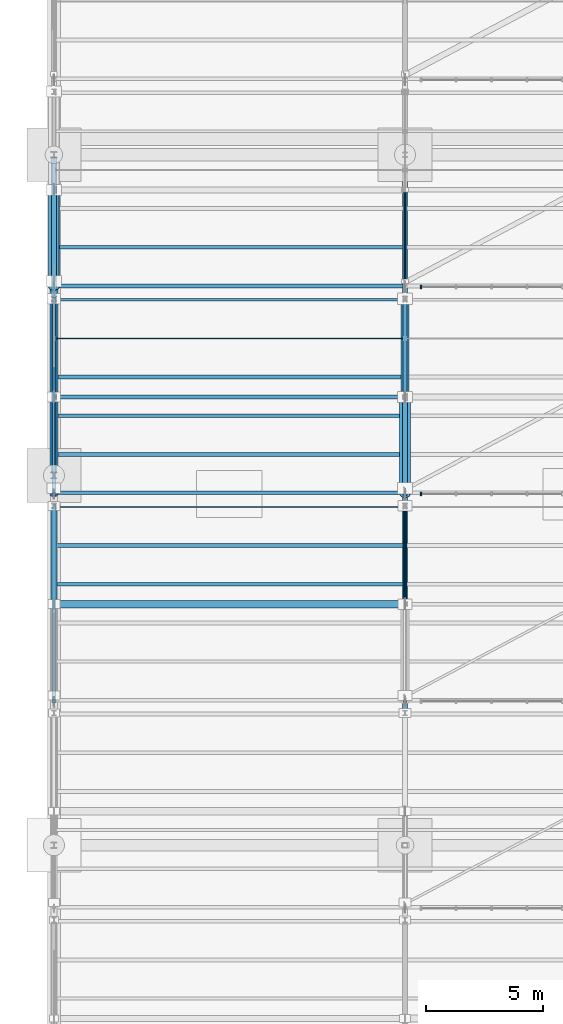
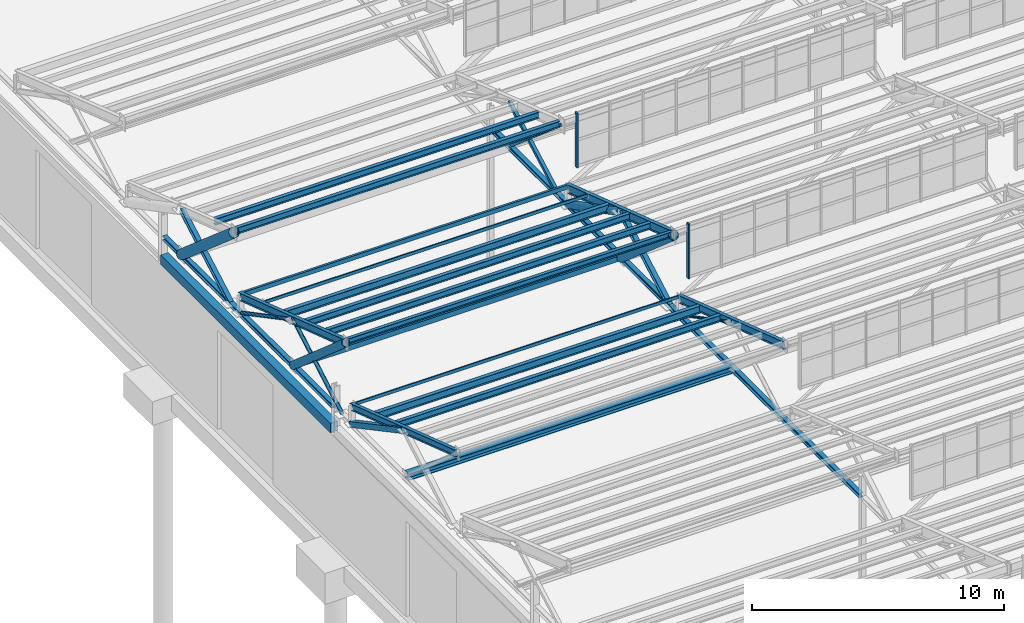
# One storey, part 62 of 285: 18 beams, 16 members, 2 elements without a shape of their own.
"""IFC4 building model written with IfcOpenShell, lengths in metres."""

from ifc_helpers import new_model, si_unit, direction, frame, origin, origin_2d, place, context, subcontext, project, spatial, rectangle, hollow_rectangle, hollow_circle, i_section, extrude, material, material_profile, profile_set, type_object, element, aggregate, save


model = new_model("IFC4")

# Units and contexts
model_context = context("Model", 3, precision=1e-05, world=origin(), true_north=direction((0.0, 1.0)))
body_context = subcontext(model_context, "Body", "Model", "MODEL_VIEW")
ifc_project = project(units=[si_unit("LENGTHUNIT", "METRE"), si_unit("AREAUNIT", "SQUARE_METRE"), si_unit("VOLUMEUNIT", "CUBIC_METRE"), si_unit("PLANEANGLEUNIT", "RADIAN"), si_unit("MASSUNIT", "GRAM", prefix="KILO")], contexts=[model_context])

# Site, building, storey
site_placement = place(None, origin())
site = spatial("IfcSite", under=ifc_project, at=site_placement, CompositionType="ELEMENT")
building_placement = place(site_placement, origin())
building = spatial("IfcBuilding", under=site, at=building_placement, Name="Solanera Park Tramway Depot", CompositionType="ELEMENT")
storey_placement = place(building_placement, origin())
storey = spatial("IfcBuildingStorey", under=building, at=storey_placement, Name="L00", CompositionType="ELEMENT", Elevation=0.0)

# Curtain wall, member
ifc_material_1 = material(Name="Bronze-anodised thermally broken aluminium curtain wall", Category="aluminium")
curtain_wall_type = type_object("IfcCurtainWallType", Name="Sawtooth Clerestory Monitor Curtain Wall", PredefinedType="NOTDEFINED", material=ifc_material_1)
curtain_wall_1_placement = place(storey_placement, origin())
curtain_wall_1 = element("IfcCurtainWall", 1, at=curtain_wall_1_placement, inside=storey, type_object=curtain_wall_type, Name="L00 Sawtooth Clerestory Monitor Curtain Wall #036", PredefinedType="NOTDEFINED")
ifc_material_2 = material(Name="Bronze-anodised structural aluminium 6063-T6", Category="aluminium")
ifc_material_profile_1 = material_profile(ifc_material_2, rectangle(XDim=0.06494140625, YDim=0.14990234375, at=origin_2d()), Name="Curtain Wall Mullion 65x150")
ifc_profile_set_1 = profile_set([ifc_material_profile_1], Name="Bronze-anodised structural aluminium 6063-T6")
member_type_1 = type_object("IfcMemberType", Name="Curtain Wall Mullion 65x150", PredefinedType="MULLION", material=ifc_profile_set_1)
member_1_placement = place(storey_placement, frame((15.6826171875, 100.0, 7.75), z_axis=(0.0, 0.0, 1.0), x_axis=(1.0, 0.0, 0.0)))
member_1 = element("IfcMember", 2, at=member_1_placement, type_object=member_type_1, Name="CW-L00-036 Mullion 1", PredefinedType="MULLION", context=body_context, shape_type="SweptSolid", body=[
    extrude(rectangle(XDim=0.06494140625, YDim=0.14990234375, at=origin_2d()), origin(), (0.0, 0.0, 1.0), 2.6611328125),
])
aggregate(curtain_wall_1, [member_1])

curtain_wall_2_placement = place(storey_placement, origin())
curtain_wall_2 = element("IfcCurtainWall", 3, at=curtain_wall_2_placement, inside=storey, type_object=curtain_wall_type, Name="L00 Sawtooth Clerestory Monitor Curtain Wall #044", PredefinedType="NOTDEFINED")
member_2_placement = place(storey_placement, frame((15.6826171875, 108.85009765625, 7.75), z_axis=(0.0, 0.0, 1.0), x_axis=(1.0, 0.0, 0.0)))
member_2 = element("IfcMember", 4, at=member_2_placement, type_object=member_type_1, Name="CW-L00-044 Mullion 1", PredefinedType="MULLION", context=body_context, shape_type="SweptSolid", body=[
    extrude(rectangle(XDim=0.06494140625, YDim=0.14990234375, at=origin_2d()), origin(), (0.0, 0.0, 1.0), 2.6611328125),
])
aggregate(curtain_wall_2, [member_2])

# Beam
ifc_material_3 = material(Name="Concrete N40 (C40/50)", Category="concrete")
ifc_material_profile_2 = material_profile(ifc_material_3, rectangle(XDim=0.35009765625, YDim=0.449951171875, at=origin_2d()), Name="LNT 350x450")
ifc_profile_set_2 = profile_set([ifc_material_profile_2], Name="Concrete N40 (C40/50)")
beam_type_1 = type_object("IfcBeamType", Name="Opening Lintel Beam LNT 350x450", PredefinedType="LINTEL", material=ifc_profile_set_2)
beam_1_placement = place(storey_placement, frame((0.0, 100.919921875, 5.47509765625), z_axis=(0.0, 1.0, 0.0), x_axis=(-1.0, 0.0, 0.0)))
element("IfcBeam", 5, at=beam_1_placement, inside=storey, type_object=beam_type_1, Name="L00 Portal Transom Lintel LNT 350x450 #0296", PredefinedType="LINTEL", context=body_context, shape_type="SweptSolid", body=[
    extrude(rectangle(XDim=0.35009765625, YDim=0.449951171875, at=origin_2d()), origin(), (0.0, 0.0, 1.0), 13.4599609375),
])

# Members
ifc_material_4 = material(Name="Steel AS/NZS 1163 Grade C350L0", Category="steel")
ifc_material_profile_3 = material_profile(ifc_material_4, hollow_rectangle(XDim=0.14990234375, YDim=0.14990234375, WallThickness=0.006103515625, at=origin_2d()), Name="150x150x6.0 SHS")
ifc_profile_set_3 = profile_set([ifc_material_profile_3], Name="Steel AS/NZS 1163 Grade C350L0")
member_type_2 = type_object("IfcMemberType", Name="Roof Gantry Compression Strut 150x150x6.0 SHS", PredefinedType="STRUT", material=ifc_profile_set_3)
member_3_placement = place(storey_placement, frame((15.0, 109.10009765625, 6.5), z_axis=(0.0, 0.874074669389, 0.485791593517), x_axis=(-1.0, 0.0, 0.0)))
element("IfcMember", 6, at=member_3_placement, inside=storey, type_object=member_type_2, Name="Sawtooth ROOF TRUSS Strut 150x150x6.0 SHS #0278", PredefinedType="STRUT", context=body_context, shape_type="SweptSolid", body=[
    extrude(hollow_rectangle(XDim=0.14990234375, YDim=0.14990234375, WallThickness=0.006103515625, at=origin_2d()), origin(), (0.0, 0.0, 1.0), 4.461669921875),
])
ifc_material_5 = material(Name="Steel AS/NZS 1163 Grade C350L0", Category="steel")
ifc_material_profile_4 = material_profile(ifc_material_5, hollow_circle(Radius=0.084228515625, WallThickness=0.00634765625, at=origin_2d()), Name="168.3x6.4 CHS")
ifc_profile_set_4 = profile_set([ifc_material_profile_4], Name="Steel AS/NZS 1163 Grade C350L0")
member_type_3 = type_object("IfcMemberType", Name="Roof Gantry Compression Strut 168.3x6.4 CHS", PredefinedType="STRUT", material=ifc_profile_set_4)
member_4_placement = place(storey_placement, frame((0.0, 100.25, 6.5), z_axis=(0.0, 0.869202540842, 0.49445620938), x_axis=(-1.0, 0.0, 0.0)))
element("IfcMember", 7, at=member_4_placement, inside=storey, type_object=member_type_3, Name="Sawtooth ROOF TRUSS Strut 168.3x6.4 CHS #0228", PredefinedType="STRUT", context=body_context, shape_type="SweptSolid", body=[
    extrude(hollow_circle(Radius=0.084228515625, WallThickness=0.00634765625, at=origin_2d()), origin(), (0.0, 0.0, 1.0), 4.48681640625),
])
ifc_material_6 = material(Name="Steel AS/NZS 3679.1 Grade 350", Category="steel")
ifc_material_profile_5 = material_profile(ifc_material_6, i_section(OverallWidth=0.205078125, OverallDepth=0.209716796875, WebThickness=0.00927734375, FlangeThickness=0.01416015625, at=origin_2d()), Name="200UC59.5")
ifc_profile_set_5 = profile_set([ifc_material_profile_5], Name="Steel AS/NZS 3679.1 Grade 350")
member_type_4 = type_object("IfcMemberType", Name="Roof Gantry Compression Strut 200UC59.5", PredefinedType="STRUT", material=ifc_profile_set_5)
for number, where, z_axis, x_axis, name in (
    (8, (15.0, 100.25, 6.5), (0.0, 0.871630906744, 0.490162791742), (-1.0, 0.0, 0.0), "Sawtooth ROOF TRUSS Strut 200UC59.5 #0231"),
    (9, (0.0, 109.10009765625, 6.5), (0.0, 0.871630906744, 0.490162791742), (-1.0, 0.0, 0.0), "Sawtooth ROOF TRUSS Strut 200UC59.5 #0275"),
):
    element("IfcMember", number, at=place(storey_placement, frame(where, z_axis=z_axis, x_axis=x_axis)), inside=storey, type_object=member_type_4, Name=name, PredefinedType="STRUT", context=body_context, shape_type="SweptSolid", body=[
        extrude(i_section(OverallWidth=0.205078125, OverallDepth=0.209716796875, WebThickness=0.00927734375, FlangeThickness=0.01416015625, at=origin_2d()), origin(), (0.0, 0.0, 1.0), 4.474365234375),
    ])
ifc_material_7 = material(Name="Steel AS/NZS 1163 Grade C350L0", Category="steel")
ifc_material_profile_6 = material_profile(ifc_material_7, hollow_rectangle(XDim=0.14990234375, YDim=0.25, WallThickness=0.008056640625, at=origin_2d()), Name="250x150x8.0 RHS")
ifc_profile_set_6 = profile_set([ifc_material_profile_6], Name="Steel AS/NZS 1163 Grade C350L0")
member_type_5 = type_object("IfcMemberType", Name="Secondary Truss Chord 250x150x8.0 RHS", PredefinedType="CHORD", material=ifc_profile_set_6)
member_5_placement = place(storey_placement, frame((0.087890625, 104.14990234375, 6.5), z_axis=(1.0, 0.0, 0.0), x_axis=(0.0, 1.0, 0.0)))
element("IfcMember", 10, at=member_5_placement, inside=storey, type_object=member_type_5, Name="Sawtooth Longitudinal Tie Chord 250x150x8.0 RHS #0259", PredefinedType="CHORD", context=body_context, shape_type="SweptSolid", body=[
    extrude(hollow_rectangle(XDim=0.14990234375, YDim=0.25, WallThickness=0.008056640625, at=origin_2d()), origin(), (0.0, 0.0, 1.0), 14.82421875),
])
ifc_material_8 = material(Name="Steel AS/NZS 3679.1 Grade 350", Category="steel")
ifc_material_profile_7 = material_profile(ifc_material_8, i_section(OverallWidth=0.310546875, OverallDepth=0.3271484375, WebThickness=0.015625, FlangeThickness=0.02490234375, at=origin_2d()), Name="310UC158")
ifc_profile_set_7 = profile_set([ifc_material_profile_7], Name="Steel AS/NZS 3679.1 Grade 350")
member_type_6 = type_object("IfcMemberType", Name="Secondary Truss Chord 310UC158", PredefinedType="CHORD", material=ifc_profile_set_7)
member_6_placement = place(storey_placement, frame((0.087890625, 95.300048828125, 6.5), z_axis=(1.0, 0.0, 0.0), x_axis=(0.0, 1.0, 0.0)))
element("IfcMember", 11, at=member_6_placement, inside=storey, type_object=member_type_6, Name="Sawtooth Longitudinal Tie Chord 310UC158 #0212", PredefinedType="CHORD", context=body_context, shape_type="SweptSolid", body=[
    extrude(i_section(OverallWidth=0.310546875, OverallDepth=0.3271484375, WebThickness=0.015625, FlangeThickness=0.02490234375, at=origin_2d()), origin(), (0.0, 0.0, 1.0), 14.82421875),
])

# Beams
ifc_material_9 = material(Name="Steel AS/NZS 3679.1 Grade 350", Category="steel")
ifc_material_profile_8 = material_profile(ifc_material_9, i_section(OverallWidth=0.203369140625, OverallDepth=0.203369140625, WebThickness=0.00732421875, FlangeThickness=0.010986328125, at=origin_2d()), Name="200UC46.2")
ifc_profile_set_8 = profile_set([ifc_material_profile_8], Name="Steel AS/NZS 3679.1 Grade 350")
beam_type_2 = type_object("IfcBeamType", Name="Steel Beam 200UC46.2", PredefinedType="BEAM", material=ifc_profile_set_8)
beam_2_placement = place(storey_placement, frame((0.0, 100.927001953125, 6.5), z_axis=(0.0, 1.0, 0.0), x_axis=(-1.0, 0.0, 0.0)))
element("IfcBeam", 12, at=beam_2_placement, inside=storey, type_object=beam_type_2, Name="Sawtooth ROOF TRUSS Bottom Chord 200UC46.2 #0368", PredefinedType="BEAM", context=body_context, shape_type="SweptSolid", body=[
    extrude(i_section(OverallWidth=0.203369140625, OverallDepth=0.203369140625, WebThickness=0.00732421875, FlangeThickness=0.010986328125, at=origin_2d()), origin(), (0.0, 0.0, 1.0), 13.4453125),
])
ifc_material_10 = material(Name="Steel AS/NZS 3679.1 Grade 350", Category="steel")
ifc_material_profile_9 = material_profile(ifc_material_10, i_section(OverallWidth=0.205078125, OverallDepth=0.209716796875, WebThickness=0.00927734375, FlangeThickness=0.01416015625, at=origin_2d()), Name="200UC59.5")
ifc_profile_set_9 = profile_set([ifc_material_profile_9], Name="Steel AS/NZS 3679.1 Grade 350")
beam_type_3 = type_object("IfcBeamType", Name="Steel Beam 200UC59.5", PredefinedType="BEAM", material=ifc_profile_set_9)
beam_3_placement = place(storey_placement, frame((15.0, 85.10009765625, 6.5), z_axis=(0.0, 1.0, 0.0), x_axis=(-1.0, 0.0, 0.0)))
element("IfcBeam", 13, at=beam_3_placement, inside=storey, type_object=beam_type_3, Name="Sawtooth ROOF TRUSS Bottom Chord 200UC59.5 #0371", PredefinedType="BEAM", context=body_context, shape_type="SweptSolid", body=[
    extrude(i_section(OverallWidth=0.205078125, OverallDepth=0.209716796875, WebThickness=0.00927734375, FlangeThickness=0.01416015625, at=origin_2d()), origin(), (0.0, 0.0, 1.0), 29.298095703125),
])
ifc_material_11 = material(Name="Steel AS/NZS 3679.1 Grade 350", Category="steel")
ifc_material_profile_10 = material_profile(ifc_material_11, i_section(OverallWidth=0.166015625, OverallDepth=0.30712890625, WebThickness=0.006591796875, FlangeThickness=0.01171875, at=origin_2d()), Name="310UB46.2")
ifc_profile_set_10 = profile_set([ifc_material_profile_10], Name="Steel AS/NZS 3679.1 Grade 350")
beam_type_4 = type_object("IfcBeamType", Name="Steel Beam 310UB46.2", PredefinedType="BEAM", material=ifc_profile_set_10)
beam_4_placement = place(storey_placement, frame((0.0, 91.14990234375, 10.131103515625), z_axis=(0.0, 0.948330572612, -0.317283981709), x_axis=(-1.0, 0.0, 0.0)))
element("IfcBeam", 14, at=beam_4_placement, inside=storey, type_object=beam_type_4, Name="Sawtooth ROOF TRUSS Top Rafter 310UB46.2 B05-T1", PredefinedType="BEAM", context=body_context, shape_type="SweptSolid", body=[
    extrude(i_section(OverallWidth=0.166015625, OverallDepth=0.30712890625, WebThickness=0.006591796875, FlangeThickness=0.01171875, at=origin_2d()), origin(), (0.0, 0.0, 1.0), 8.804931640625),
])
ifc_material_12 = material(Name="Steel AS/NZS 3679.1 Grade 350", Category="steel")
ifc_material_profile_11 = material_profile(ifc_material_12, i_section(OverallWidth=0.17138671875, OverallDepth=0.355712890625, WebThickness=0.00732421875, FlangeThickness=0.011474609375, at=origin_2d()), Name="360UB50.7")
ifc_profile_set_11 = profile_set([ifc_material_profile_11], Name="Steel AS/NZS 3679.1 Grade 350")
beam_type_5 = type_object("IfcBeamType", Name="Steel Beam 360UB50.7", PredefinedType="BEAM", material=ifc_profile_set_11)
for number, where, z_axis, x_axis, name in (
    (15, (15.0, 91.14990234375, 10.10693359375), (0.0, 0.948322229475, -0.317308917435), (-1.0, 0.0, 0.0), "Sawtooth ROOF TRUSS Top Rafter 360UB50.7 B05-T2"),
    (16, (0.0, 100.0, 10.10693359375), (0.0, 0.948322229475, -0.317308917435), (-1.0, 0.0, 0.0), "Sawtooth ROOF TRUSS Top Rafter 360UB50.7 B06-T1"),
):
    element("IfcBeam", number, at=place(storey_placement, frame(where, z_axis=z_axis, x_axis=x_axis)), inside=storey, type_object=beam_type_5, Name=name, PredefinedType="BEAM", context=body_context, shape_type="SweptSolid", body=[
        extrude(i_section(OverallWidth=0.17138671875, OverallDepth=0.355712890625, WebThickness=0.00732421875, FlangeThickness=0.011474609375, at=origin_2d()), origin(), (0.0, 0.0, 1.0), 8.80517578125),
    ])
ifc_material_13 = material(Name="Steel AS/NZS 3679.1 Grade 350", Category="steel")
ifc_material_profile_12 = material_profile(ifc_material_13, i_section(OverallWidth=0.177734375, OverallDepth=0.406494140625, WebThickness=0.0078125, FlangeThickness=0.0126953125, at=origin_2d()), Name="410UB59.7")
ifc_profile_set_12 = profile_set([ifc_material_profile_12], Name="Steel AS/NZS 3679.1 Grade 350")
beam_type_6 = type_object("IfcBeamType", Name="Steel Beam 410UB59.7", PredefinedType="BEAM", material=ifc_profile_set_12)
beam_5_placement = place(storey_placement, frame((15.0, 100.0, 10.08154296875), z_axis=(0.0, 0.948322229475, -0.317308917435), x_axis=(-1.0, 0.0, 0.0)))
element("IfcBeam", 17, at=beam_5_placement, inside=storey, type_object=beam_type_6, Name="Sawtooth ROOF TRUSS Top Rafter 410UB59.7 B06-T2", PredefinedType="BEAM", context=body_context, shape_type="SweptSolid", body=[
    extrude(i_section(OverallWidth=0.177734375, OverallDepth=0.406494140625, WebThickness=0.0078125, FlangeThickness=0.0126953125, at=origin_2d()), origin(), (0.0, 0.0, 1.0), 8.80517578125),
])
ifc_material_14 = material(Name="Steel AS/NZS 1163 Grade C350L0", Category="steel")
ifc_material_profile_13 = material_profile(ifc_material_14, hollow_rectangle(XDim=0.050048828125, YDim=0.14990234375, WallThickness=0.0048828125, at=origin_2d()), Name="150x50x5.0 RHS")
ifc_profile_set_13 = profile_set([ifc_material_profile_13], Name="Steel AS/NZS 1163 Grade C350L0")
beam_type_7 = type_object("IfcBeamType", Name="Steel Joist Purlin 150x50x5.0 RHS", PredefinedType="JOIST", material=ifc_profile_set_13)
beam_6_placement = place(storey_placement, frame((0.074951171875, 99.449951171875, 7.4462890625), z_axis=(1.0, 0.0, 0.0), x_axis=(0.0, 1.0, 0.0)))
element("IfcBeam", 18, at=beam_6_placement, inside=storey, type_object=beam_type_7, Name="Sawtooth Roof Purlin 150x50x5.0 RHS B05.6", PredefinedType="JOIST", context=body_context, shape_type="SweptSolid", body=[
    extrude(hollow_rectangle(XDim=0.050048828125, YDim=0.14990234375, WallThickness=0.0048828125, at=origin_2d()), origin(), (0.0, 0.0, 1.0), 14.84716796875),
])
beam_7_placement = place(storey_placement, frame((0.077880859375, 106.64990234375, 7.998291015625), z_axis=(1.0, 0.0, 0.0), x_axis=(0.0, 1.0, 0.0)))
element("IfcBeam", 19, at=beam_7_placement, inside=storey, type_object=beam_type_7, Name="Sawtooth Roof Purlin 150x50x5.0 RHS B06.5", PredefinedType="JOIST", context=body_context, shape_type="SweptSolid", body=[
    extrude(hollow_rectangle(XDim=0.050048828125, YDim=0.14990234375, WallThickness=0.0048828125, at=origin_2d()), origin(), (0.0, 0.0, 1.0), 14.84130859375),
])
ifc_material_15 = material(Name="Steel AS/NZS 1163 Grade C350L0", Category="steel")
ifc_material_profile_14 = material_profile(ifc_material_15, hollow_rectangle(XDim=0.10009765625, YDim=0.199951171875, WallThickness=0.006103515625, at=origin_2d()), Name="200x100x6.0 RHS")
ifc_profile_set_14 = profile_set([ifc_material_profile_14], Name="Steel AS/NZS 1163 Grade C350L0")
beam_type_8 = type_object("IfcBeamType", Name="Steel Joist Purlin 200x100x6.0 RHS", PredefinedType="JOIST", material=ifc_profile_set_14)
beam_8_placement = place(storey_placement, frame((0.077880859375, 108.300048828125, 7.412841796875), z_axis=(1.0, 0.0, 0.0), x_axis=(0.0, 1.0, 0.0)))
element("IfcBeam", 20, at=beam_8_placement, inside=storey, type_object=beam_type_8, Name="Sawtooth Roof Purlin 200x100x6.0 RHS B06.6", PredefinedType="JOIST", context=body_context, shape_type="SweptSolid", body=[
    extrude(hollow_rectangle(XDim=0.10009765625, YDim=0.199951171875, WallThickness=0.006103515625, at=origin_2d()), origin(), (0.0, 0.0, 1.0), 14.84130859375),
])
ifc_material_16 = material(Name="Steel AS/NZS 3679.1 Grade 350", Category="steel")
ifc_material_profile_15 = material_profile(ifc_material_16, i_section(OverallWidth=0.146484375, OverallDepth=0.256103515625, WebThickness=0.00634765625, FlangeThickness=0.010986328125, at=origin_2d()), Name="250UB37.3")
ifc_profile_set_15 = profile_set([ifc_material_profile_15], Name="Steel AS/NZS 3679.1 Grade 350")
beam_type_9 = type_object("IfcBeamType", Name="Steel Joist Purlin 250UB37.3", PredefinedType="JOIST", material=ifc_profile_set_15)
beam_9_placement = place(storey_placement, frame((0.077880859375, 100.050048828125, 10.137451171875), z_axis=(1.0, 0.0, 0.0), x_axis=(0.0, 1.0, 0.0)))
element("IfcBeam", 21, at=beam_9_placement, inside=storey, type_object=beam_type_9, Name="Sawtooth Roof Purlin 250UB37.3 B06.1", PredefinedType="JOIST", context=body_context, shape_type="SweptSolid", body=[
    extrude(i_section(OverallWidth=0.146484375, OverallDepth=0.256103515625, WebThickness=0.00634765625, FlangeThickness=0.010986328125, at=origin_2d()), origin(), (0.0, 0.0, 1.0), 14.84130859375),
])
ifc_material_17 = material(Name="Steel AS/NZS 3679.1 Grade 350", Category="steel")
ifc_material_profile_16 = material_profile(ifc_material_17, i_section(OverallWidth=0.1650390625, OverallDepth=0.3037109375, WebThickness=0.006103515625, FlangeThickness=0.01025390625, at=origin_2d()), Name="310UB40.4")
ifc_profile_set_16 = profile_set([ifc_material_profile_16], Name="Steel AS/NZS 3679.1 Grade 350")
beam_type_10 = type_object("IfcBeamType", Name="Steel Joist Purlin 310UB40.4", PredefinedType="JOIST", material=ifc_profile_set_16)
beam_10_placement = place(storey_placement, frame((0.077880859375, 101.699951171875, 9.55859375), z_axis=(1.0, 0.0, 0.0), x_axis=(0.0, 1.0, 0.0)))
element("IfcBeam", 22, at=beam_10_placement, inside=storey, type_object=beam_type_10, Name="Sawtooth Roof Purlin 310UB40.4 B06.2", PredefinedType="JOIST", context=body_context, shape_type="SweptSolid", body=[
    extrude(i_section(OverallWidth=0.1650390625, OverallDepth=0.3037109375, WebThickness=0.006103515625, FlangeThickness=0.01025390625, at=origin_2d()), origin(), (0.0, 0.0, 1.0), 14.84130859375),
])
beam_11_placement = place(storey_placement, frame((0.080810546875, 108.89990234375, 10.110595703125), z_axis=(1.0, 0.0, 0.0), x_axis=(0.0, 1.0, 0.0)))
element("IfcBeam", 23, at=beam_11_placement, inside=storey, type_object=beam_type_10, Name="Sawtooth Roof Purlin 310UB40.4 B07.1", PredefinedType="JOIST", context=body_context, shape_type="SweptSolid", body=[
    extrude(i_section(OverallWidth=0.1650390625, OverallDepth=0.3037109375, WebThickness=0.006103515625, FlangeThickness=0.01025390625, at=origin_2d()), origin(), (0.0, 0.0, 1.0), 14.83203125),
])
ifc_material_18 = material(Name="Steel AS/NZS 3679.1 Grade 350", Category="steel")
ifc_material_profile_17 = material_profile(ifc_material_18, i_section(OverallWidth=0.166015625, OverallDepth=0.30712890625, WebThickness=0.006591796875, FlangeThickness=0.01171875, at=origin_2d()), Name="310UB46.2")
ifc_profile_set_17 = profile_set([ifc_material_profile_17], Name="Steel AS/NZS 3679.1 Grade 350")
beam_type_11 = type_object("IfcBeamType", Name="Steel Joist Purlin 310UB46.2", PredefinedType="JOIST", material=ifc_profile_set_17)
beam_12_placement = place(storey_placement, frame((0.074951171875, 96.14990234375, 8.452392578125), z_axis=(1.0, 0.0, 0.0), x_axis=(0.0, 1.0, 0.0)))
element("IfcBeam", 24, at=beam_12_placement, inside=storey, type_object=beam_type_11, Name="Sawtooth Roof Purlin 310UB46.2 B05.4", PredefinedType="JOIST", context=body_context, shape_type="SweptSolid", body=[
    extrude(i_section(OverallWidth=0.166015625, OverallDepth=0.30712890625, WebThickness=0.006591796875, FlangeThickness=0.01171875, at=origin_2d()), origin(), (0.0, 0.0, 1.0), 14.84716796875),
])
beam_13_placement = place(storey_placement, frame((0.077880859375, 103.35009765625, 9.004638671875), z_axis=(1.0, 0.0, 0.0), x_axis=(0.0, 1.0, 0.0)))
element("IfcBeam", 25, at=beam_13_placement, inside=storey, type_object=beam_type_11, Name="Sawtooth Roof Purlin 310UB46.2 B06.3", PredefinedType="JOIST", context=body_context, shape_type="SweptSolid", body=[
    extrude(i_section(OverallWidth=0.166015625, OverallDepth=0.30712890625, WebThickness=0.006591796875, FlangeThickness=0.01171875, at=origin_2d()), origin(), (0.0, 0.0, 1.0), 14.84130859375),
])
beam_14_placement = place(storey_placement, frame((0.080810546875, 110.550048828125, 9.556640625), z_axis=(1.0, 0.0, 0.0), x_axis=(0.0, 1.0, 0.0)))
element("IfcBeam", 26, at=beam_14_placement, inside=storey, type_object=beam_type_11, Name="Sawtooth Roof Purlin 310UB46.2 B07.2", PredefinedType="JOIST", context=body_context, shape_type="SweptSolid", body=[
    extrude(i_section(OverallWidth=0.166015625, OverallDepth=0.30712890625, WebThickness=0.006591796875, FlangeThickness=0.01171875, at=origin_2d()), origin(), (0.0, 0.0, 1.0), 14.83203125),
])
ifc_material_19 = material(Name="Steel AS/NZS 3679.1 Grade 350", Category="steel")
ifc_material_profile_18 = material_profile(ifc_material_19, i_section(OverallWidth=0.17138671875, OverallDepth=0.355712890625, WebThickness=0.00732421875, FlangeThickness=0.011474609375, at=origin_2d()), Name="360UB50.7")
ifc_profile_set_18 = profile_set([ifc_material_profile_18], Name="Steel AS/NZS 3679.1 Grade 350")
beam_type_12 = type_object("IfcBeamType", Name="Steel Joist Purlin 360UB50.7", PredefinedType="JOIST", material=ifc_profile_set_18)
beam_15_placement = place(storey_placement, frame((0.074951171875, 97.800048828125, 7.875244140625), z_axis=(1.0, 0.0, 0.0), x_axis=(0.0, 1.0, 0.0)))
element("IfcBeam", 27, at=beam_15_placement, inside=storey, type_object=beam_type_12, Name="Sawtooth Roof Purlin 360UB50.7 B05.5", PredefinedType="JOIST", context=body_context, shape_type="SweptSolid", body=[
    extrude(i_section(OverallWidth=0.17138671875, OverallDepth=0.355712890625, WebThickness=0.00732421875, FlangeThickness=0.011474609375, at=origin_2d()), origin(), (0.0, 0.0, 1.0), 14.84716796875),
])
beam_16_placement = place(storey_placement, frame((0.077880859375, 105.0, 8.42724609375), z_axis=(1.0, 0.0, 0.0), x_axis=(0.0, 1.0, 0.0)))
element("IfcBeam", 28, at=beam_16_placement, inside=storey, type_object=beam_type_12, Name="Sawtooth Roof Purlin 360UB50.7 B06.4", PredefinedType="JOIST", context=body_context, shape_type="SweptSolid", body=[
    extrude(i_section(OverallWidth=0.17138671875, OverallDepth=0.355712890625, WebThickness=0.00732421875, FlangeThickness=0.011474609375, at=origin_2d()), origin(), (0.0, 0.0, 1.0), 14.84130859375),
])

# Members
ifc_material_20 = material(Name="Steel AS/NZS 1163 Grade C350L0", Category="steel")
ifc_material_profile_19 = material_profile(ifc_material_20, hollow_circle(Radius=0.05712890625, WallThickness=0.0048828125, at=origin_2d()), Name="114.3x4.8 CHS")
ifc_profile_set_19 = profile_set([ifc_material_profile_19], Name="Steel AS/NZS 1163 Grade C350L0")
member_type_7 = type_object("IfcMemberType", Name="Truss and Frame Brace 114.3x4.8 CHS", PredefinedType="BRACE", material=ifc_profile_set_19)
member_7_placement = place(storey_placement, frame((15.0, 99.5, 6.5), z_axis=(0.0, -0.884222622593, 0.467065684561), x_axis=(1.0, 0.0, 0.0)))
element("IfcMember", 29, at=member_7_placement, inside=storey, type_object=member_type_7, Name="Sawtooth ROOF TRUSS Diagonal 114.3x4.8 CHS #0183", PredefinedType="BRACE", context=body_context, shape_type="SweptSolid", body=[
    extrude(hollow_circle(Radius=0.05712890625, WallThickness=0.0048828125, at=origin_2d()), origin(), (0.0, 0.0, 1.0), 4.75),
])
ifc_material_21 = material(Name="Steel AS/NZS 1163 Grade C350L0", Category="steel")
ifc_material_profile_20 = material_profile(ifc_material_21, hollow_rectangle(XDim=0.050048828125, YDim=0.14990234375, WallThickness=0.0048828125, at=origin_2d()), Name="150x50x5.0 RHS")
ifc_profile_set_20 = profile_set([ifc_material_profile_20], Name="Steel AS/NZS 1163 Grade C350L0")
member_type_8 = type_object("IfcMemberType", Name="Truss and Frame Brace 150x50x5.0 RHS", PredefinedType="BRACE", material=ifc_profile_set_20)
member_8_placement = place(storey_placement, frame((15.0, 113.0, 6.5), z_axis=(0.0, -0.759338583023, 0.650695717162), x_axis=(1.0, 0.0, 0.0)))
element("IfcMember", 30, at=member_8_placement, inside=storey, type_object=member_type_8, Name="Sawtooth ROOF TRUSS Web Brace 150x50x5.0 RHS #0276", PredefinedType="BRACE", context=body_context, shape_type="SweptSolid", body=[
    extrude(hollow_rectangle(XDim=0.050048828125, YDim=0.14990234375, WallThickness=0.0048828125, at=origin_2d()), origin(), (0.0, 0.0, 1.0), 5.465087890625),
])
ifc_material_22 = material(Name="Steel AS/NZS 1163 Grade C350L0", Category="steel")
ifc_material_profile_21 = material_profile(ifc_material_22, hollow_circle(Radius=0.084228515625, WallThickness=0.00634765625, at=origin_2d()), Name="168.3x6.4 CHS")
ifc_profile_set_21 = profile_set([ifc_material_profile_21], Name="Steel AS/NZS 1163 Grade C350L0")
member_type_9 = type_object("IfcMemberType", Name="Truss and Frame Brace 168.3x6.4 CHS", PredefinedType="BRACE", material=ifc_profile_set_21)
member_9_placement = place(storey_placement, frame((0.0, 108.35009765625, 6.5), z_axis=(0.0, -0.88423383461, 0.467044457981), x_axis=(1.0, 0.0, 0.0)))
element("IfcMember", 31, at=member_9_placement, inside=storey, type_object=member_type_9, Name="Sawtooth ROOF TRUSS Diagonal 168.3x6.4 CHS #0227", PredefinedType="BRACE", context=body_context, shape_type="SweptSolid", body=[
    extrude(hollow_circle(Radius=0.084228515625, WallThickness=0.00634765625, at=origin_2d()), origin(), (0.0, 0.0, 1.0), 4.75),
])
ifc_material_23 = material(Name="Steel AS/NZS 1163 Grade C350L0", Category="steel")
ifc_material_profile_22 = material_profile(ifc_material_23, hollow_rectangle(XDim=0.25, YDim=0.25, WallThickness=0.010009765625, at=origin_2d()), Name="250x250x10.0 SHS")
ifc_profile_set_22 = profile_set([ifc_material_profile_22], Name="Steel AS/NZS 1163 Grade C350L0")
member_type_10 = type_object("IfcMemberType", Name="Truss and Frame Brace 250x250x10.0 SHS", PredefinedType="BRACE", material=ifc_profile_set_22)
member_10_placement = place(storey_placement, frame((0.0, 99.5, 6.5), z_axis=(0.0, -0.882117205046, 0.471029974165), x_axis=(1.0, 0.0, 0.0)))
element("IfcMember", 32, at=member_10_placement, inside=storey, type_object=member_type_10, Name="Sawtooth ROOF TRUSS Diagonal 250x250x10.0 SHS #0180", PredefinedType="BRACE", context=body_context, shape_type="SweptSolid", body=[
    extrude(hollow_rectangle(XDim=0.25, YDim=0.25, WallThickness=0.010009765625, at=origin_2d()), origin(), (0.0, 0.0, 1.0), 4.76123046875),
])
ifc_material_24 = material(Name="Steel AS/NZS 1163 Grade C350L0", Category="steel")
ifc_material_profile_23 = material_profile(ifc_material_24, hollow_circle(Radius=0.177734375, WallThickness=0.0126953125, at=origin_2d()), Name="355.6x12.7 CHS")
ifc_profile_set_23 = profile_set([ifc_material_profile_23], Name="Steel AS/NZS 1163 Grade C350L0")
member_type_11 = type_object("IfcMemberType", Name="Truss and Frame Brace 355.6x12.7 CHS", PredefinedType="BRACE", material=ifc_profile_set_23)
member_11_placement = place(storey_placement, frame((0.0, 104.14990234375, 6.5), z_axis=(0.0, -0.754756538157, 0.656005006162), x_axis=(1.0, 0.0, 0.0)))
element("IfcMember", 33, at=member_11_placement, inside=storey, type_object=member_type_11, Name="Sawtooth ROOF TRUSS Web Brace 355.6x12.7 CHS #0226", PredefinedType="BRACE", context=body_context, shape_type="SweptSolid", body=[
    extrude(hollow_circle(Radius=0.177734375, WallThickness=0.0126953125, at=origin_2d()), origin(), (0.0, 0.0, 1.0), 5.498291015625),
])
member_12_placement = place(storey_placement, frame((15.0, 108.35009765625, 6.5), z_axis=(0.0, -0.886436886442, 0.462849485638), x_axis=(1.0, 0.0, 0.0)))
element("IfcMember", 34, at=member_12_placement, inside=storey, type_object=member_type_11, Name="Sawtooth ROOF TRUSS Diagonal 355.6x12.7 CHS #0230", PredefinedType="BRACE", context=body_context, shape_type="SweptSolid", body=[
    extrude(hollow_circle(Radius=0.177734375, WallThickness=0.0126953125, at=origin_2d()), origin(), (0.0, 0.0, 1.0), 4.73828125),
])
ifc_material_25 = material(Name="Steel AS/NZS 1163 Grade C350L0", Category="steel")
ifc_material_profile_24 = material_profile(ifc_material_25, hollow_circle(Radius=0.228515625, WallThickness=0.0126953125, at=origin_2d()), Name="457.0x12.7 CHS")
ifc_profile_set_24 = profile_set([ifc_material_profile_24], Name="Steel AS/NZS 1163 Grade C350L0")
member_type_12 = type_object("IfcMemberType", Name="Truss and Frame Brace 457.0x12.7 CHS", PredefinedType="BRACE", material=ifc_profile_set_24)
for number, where, z_axis, x_axis, name in (
    (35, (15.0, 104.14990234375, 6.5), (0.0, -0.757045281618, 0.653362412127), (1.0, 0.0, 0.0), "Sawtooth ROOF TRUSS Web Brace 457.0x12.7 CHS #0229"),
    (36, (0.0, 113.0, 6.5), (0.0, -0.757045281618, 0.653362412127), (1.0, 0.0, 0.0), "Sawtooth ROOF TRUSS Web Brace 457.0x12.7 CHS #0273"),
):
    element("IfcMember", number, at=place(storey_placement, frame(where, z_axis=z_axis, x_axis=x_axis)), inside=storey, type_object=member_type_12, Name=name, PredefinedType="BRACE", context=body_context, shape_type="SweptSolid", body=[
        extrude(hollow_circle(Radius=0.228515625, WallThickness=0.0126953125, at=origin_2d()), origin(), (0.0, 0.0, 1.0), 5.481689453125),
    ])

save(model, "model.ifc")
